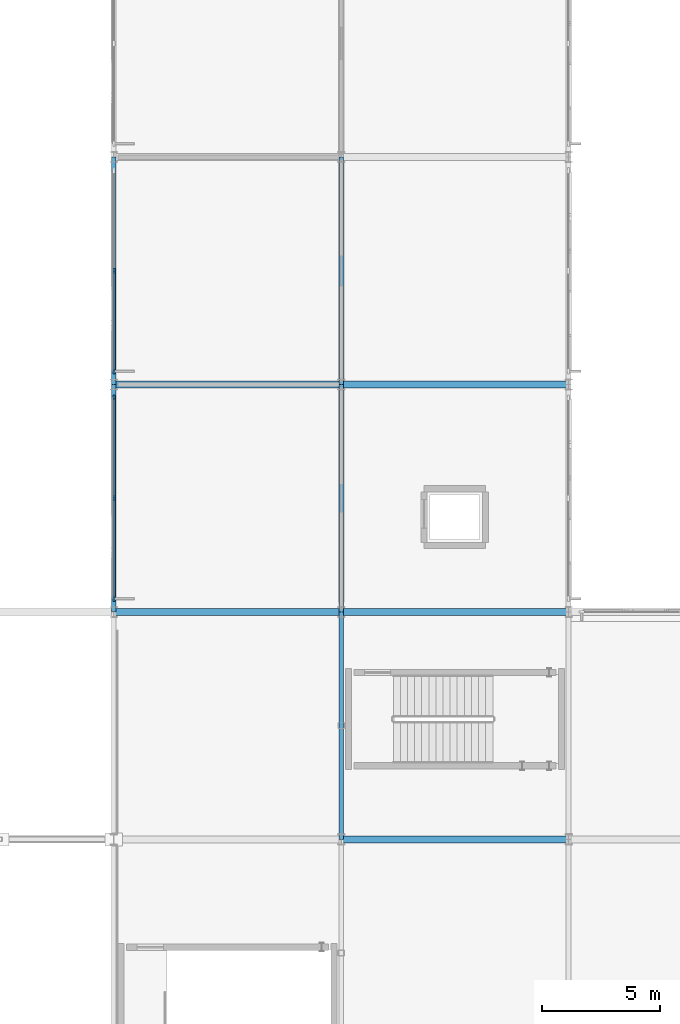
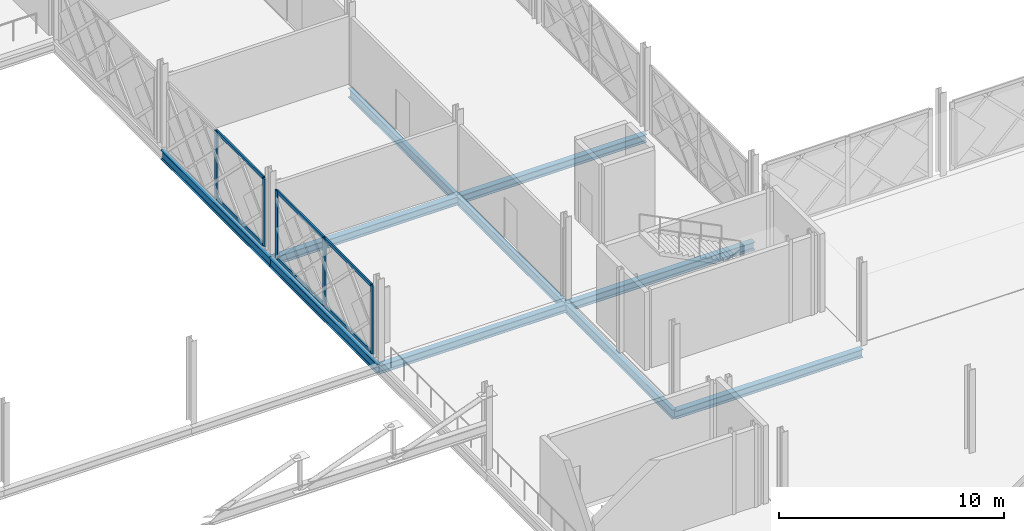
# One storey, part 37 of 101: 11 members, 10 beams, 2 elements without a shape of their own.
"""IFC4 building model written with IfcOpenShell, lengths in metres."""

from ifc_helpers import new_model, si_unit, direction, frame, origin, origin_2d, place, context, subcontext, project, spatial, rectangle, i_section, extrude, material, layer, layer_set, material_profile, profile_set, type_object, element, aggregate, save


model = new_model("IFC4")

# Units and contexts
model_context = context("Model", 3, precision=1e-05, world=origin(), true_north=direction((0.0, 1.0)))
body_context = subcontext(model_context, "Body", "Model", "MODEL_VIEW")
ifc_project = project(units=[si_unit("LENGTHUNIT", "METRE"), si_unit("AREAUNIT", "SQUARE_METRE"), si_unit("VOLUMEUNIT", "CUBIC_METRE"), si_unit("PLANEANGLEUNIT", "RADIAN"), si_unit("MASSUNIT", "GRAM", prefix="KILO")], contexts=[model_context])

# Site, building, storey
site_placement = place(None, origin())
site = spatial("IfcSite", under=ifc_project, at=site_placement, CompositionType="ELEMENT")
building_placement = place(site_placement, origin())
building = spatial("IfcBuilding", under=site, at=building_placement, Name="Zevrakil Square Congress Hotel", CompositionType="ELEMENT")
storey_placement = place(building_placement, frame((0.0, 0.0, 5.39990234375)))
storey = spatial("IfcBuildingStorey", under=building, at=storey_placement, Name="L02", CompositionType="ELEMENT", Elevation=5.39990234375)

# Beams
ifc_material_1 = material(Name="Steel S355", Category="steel")
ifc_material_profile_1 = material_profile(ifc_material_1, i_section(OverallWidth=0.300048828125, OverallDepth=0.43994140625, WebThickness=0.011474609375, FlangeThickness=0.02099609375, FilletRadius=0.027099609375, at=origin_2d()), Name="HEA 450")
ifc_profile_set_1 = profile_set([ifc_material_profile_1], Name="Steel S355")
beam_type_1 = type_object("IfcBeamType", Name="BM-HEA450", PredefinedType="BEAM", material=ifc_profile_set_1)
beam_1_placement = place(storey_placement, frame((55.199951171875, 36.0, -0.47998046875), z_axis=(1.0, 0.0, 0.0), x_axis=(0.0, 1.0, 0.0)))
element("IfcBeam", 1, at=beam_1_placement, inside=storey, type_object=beam_type_1, Name="L02 primary girder BX-0720", PredefinedType="BEAM", context=body_context, shape_type="SweptSolid", body=[
    extrude(i_section(OverallWidth=0.300048828125, OverallDepth=0.43994140625, WebThickness=0.011474609375, FlangeThickness=0.02099609375, FilletRadius=0.027099609375, at=origin_2d()), origin(), (0.0, 0.0, 1.0), 9.60009765625),
])
for number, where, z_axis, x_axis, name in (
    (2, (45.60009765625, 45.60009765625, -0.47998046875), (1.0, 0.0, 0.0), (0.0, 1.0, 0.0), "L02 primary girder BX-0736"),
    (3, (45.60009765625, 55.199951171875, -0.47998046875), (1.0, 0.0, 0.0), (0.0, 1.0, 0.0), "L02 primary girder BX-0748"),
):
    element("IfcBeam", number, at=place(storey_placement, frame(where, z_axis=z_axis, x_axis=x_axis)), inside=storey, type_object=beam_type_1, Name=name, PredefinedType="BEAM", context=body_context, shape_type="SweptSolid", body=[
        extrude(i_section(OverallWidth=0.300048828125, OverallDepth=0.43994140625, WebThickness=0.011474609375, FlangeThickness=0.02099609375, FilletRadius=0.027099609375, at=origin_2d()), origin(), (0.0, 0.0, 1.0), 9.599853515625),
    ])
beam_2_placement = place(storey_placement, frame((55.199951171875, 55.199951171875, -0.47998046875), z_axis=(1.0, 0.0, 0.0), x_axis=(0.0, 1.0, 0.0)))
element("IfcBeam", 4, at=beam_2_placement, inside=storey, type_object=beam_type_1, Name="L02 primary girder BX-0749", PredefinedType="BEAM", context=body_context, shape_type="SweptSolid", body=[
    extrude(i_section(OverallWidth=0.300048828125, OverallDepth=0.43994140625, WebThickness=0.011474609375, FlangeThickness=0.02099609375, FilletRadius=0.027099609375, at=origin_2d()), origin(), (0.0, 0.0, 1.0), 9.60009765625),
])
ifc_material_2 = material(Name="Steel S355", Category="steel")
ifc_material_profile_2 = material_profile(ifc_material_2, i_section(OverallWidth=0.300048828125, OverallDepth=0.449951171875, WebThickness=0.013916015625, FlangeThickness=0.02587890625, FilletRadius=0.027099609375, at=origin_2d()), Name="HEB 450")
ifc_profile_set_2 = profile_set([ifc_material_profile_2], Name="Steel S355")
beam_type_2 = type_object("IfcBeamType", Name="BM-HEB450", PredefinedType="BEAM", material=ifc_profile_set_2)
beam_3_placement = place(storey_placement, frame((55.199951171875, 45.60009765625, -0.48486328125), z_axis=(1.0, 0.0, 0.0), x_axis=(0.0, 1.0, 0.0)))
element("IfcBeam", 5, at=beam_3_placement, inside=storey, type_object=beam_type_2, Name="L02 primary girder BX-0737", PredefinedType="BEAM", context=body_context, shape_type="SweptSolid", body=[
    extrude(i_section(OverallWidth=0.300048828125, OverallDepth=0.449951171875, WebThickness=0.013916015625, FlangeThickness=0.02587890625, FilletRadius=0.027099609375, at=origin_2d()), origin(), (0.0, 0.0, 1.0), 9.60009765625),
])
ifc_material_3 = material(Name="Steel S355", Category="steel")
ifc_material_profile_3 = material_profile(ifc_material_3, i_section(OverallWidth=0.199951171875, OverallDepth=0.5, WebThickness=0.01025390625, FlangeThickness=0.01611328125, FilletRadius=0.02099609375, at=origin_2d()), Name="IPE 500")
ifc_profile_set_3 = profile_set([ifc_material_profile_3], Name="Steel S355")
beam_type_3 = type_object("IfcBeamType", Name="BM-IPE500", PredefinedType="BEAM", material=ifc_profile_set_3)
beam_4_placement = place(storey_placement, frame((45.60009765625, 45.60009765625, -0.510009765625), z_axis=(0.0, 1.0, 0.0), x_axis=(-1.0, 0.0, 0.0)))
element("IfcBeam", 6, at=beam_4_placement, inside=storey, type_object=beam_type_3, Name="L02 primary girder BY-0847", PredefinedType="BEAM", context=body_context, shape_type="SweptSolid", body=[
    extrude(i_section(OverallWidth=0.199951171875, OverallDepth=0.5, WebThickness=0.01025390625, FlangeThickness=0.01611328125, FilletRadius=0.02099609375, at=origin_2d()), origin(), (0.0, 0.0, 1.0), 9.599853515625),
])
for number, where, z_axis, x_axis, name in (
    (7, (45.60009765625, 55.199951171875, -0.510009765625), (0.0, 1.0, 0.0), (-1.0, 0.0, 0.0), "L02 primary girder BY-0848"),
    (8, (55.199951171875, 36.0, -0.510009765625), (0.0, 1.0, 0.0), (-1.0, 0.0, 0.0), "L02 primary girder BY-0858"),
):
    element("IfcBeam", number, at=place(storey_placement, frame(where, z_axis=z_axis, x_axis=x_axis)), inside=storey, type_object=beam_type_3, Name=name, PredefinedType="BEAM", context=body_context, shape_type="SweptSolid", body=[
        extrude(i_section(OverallWidth=0.199951171875, OverallDepth=0.5, WebThickness=0.01025390625, FlangeThickness=0.01611328125, FilletRadius=0.02099609375, at=origin_2d()), origin(), (0.0, 0.0, 1.0), 9.60009765625),
    ])
beam_5_placement = place(storey_placement, frame((55.199951171875, 45.60009765625, -0.510009765625), z_axis=(0.0, 1.0, 0.0), x_axis=(-1.0, 0.0, 0.0)))
element("IfcBeam", 9, at=beam_5_placement, inside=storey, type_object=beam_type_3, Name="L02 primary girder BY-0859", PredefinedType="BEAM", context=body_context, shape_type="SweptSolid", body=[
    extrude(i_section(OverallWidth=0.199951171875, OverallDepth=0.5, WebThickness=0.01025390625, FlangeThickness=0.01611328125, FilletRadius=0.02099609375, at=origin_2d()), origin(), (0.0, 0.0, 1.0), 9.599853515625),
])
beam_6_placement = place(storey_placement, frame((55.199951171875, 55.199951171875, -0.510009765625), z_axis=(0.0, 1.0, 0.0), x_axis=(-1.0, 0.0, 0.0)))
element("IfcBeam", 10, at=beam_6_placement, inside=storey, type_object=beam_type_3, Name="L02 primary girder BY-0860", PredefinedType="BEAM", context=body_context, shape_type="SweptSolid", body=[
    extrude(i_section(OverallWidth=0.199951171875, OverallDepth=0.5, WebThickness=0.01025390625, FlangeThickness=0.01611328125, FilletRadius=0.02099609375, at=origin_2d()), origin(), (0.0, 0.0, 1.0), 9.60009765625),
])

# Curtain wall, members
ifc_material_4 = material(Name="Aluminium Anodised Bronze", Category="aluminium")
ifc_layer = layer(ifc_material_4, 0.179931640625)
ifc_layer_set = layer_set([ifc_layer], Name="Aluminium Anodised Bronze")
curtain_wall_type = type_object("IfcCurtainWallType", Name="CW-L02-840", PredefinedType="USERDEFINED", material=ifc_layer_set)
curtain_wall_1_placement = place(storey_placement, origin())
curtain_wall_1 = element("IfcCurtainWall", 11, at=curtain_wall_1_placement, inside=storey, type_object=curtain_wall_type, Name="L02 diamond curtain wall CW-L02-0023", ObjectType="GLAZED CURTAIN WALL", PredefinedType="USERDEFINED")
ifc_material_5 = material(Name="Aluminium Anodised Bronze", Category="aluminium")
ifc_material_profile_4 = material_profile(ifc_material_5, rectangle(XDim=0.0849609375, YDim=0.179931640625, at=origin_2d()), Name="ALU 85x180")
ifc_profile_set_4 = profile_set([ifc_material_profile_4], Name="Aluminium Anodised Bronze")
member_type_1 = type_object("IfcMemberType", Name="CWM-ALU85x180", PredefinedType="USERDEFINED", material=ifc_profile_set_4)
member_1_placement = place(storey_placement, frame((45.60009765625, 46.179931640625, 0.030029296875), z_axis=(0.0, 1.0, 0.0), x_axis=(-1.0, 0.0, 0.0)))
member_1 = element("IfcMember", 12, at=member_1_placement, type_object=member_type_1, Name="CW-23 transom 1.1", ObjectType="TRANSOM", PredefinedType="USERDEFINED", context=body_context, shape_type="SweptSolid", body=[
    extrude(rectangle(XDim=0.0849609375, YDim=0.179931640625, at=origin_2d()), origin(), (0.0, 0.0, 1.0), 4.190185546875),
])
member_2_placement = place(storey_placement, frame((45.60009765625, 46.179931640625, 3.64501953125), z_axis=(0.0, 1.0, 0.0), x_axis=(-1.0, 0.0, 0.0)))
member_2 = element("IfcMember", 13, at=member_2_placement, type_object=member_type_1, Name="CW-23 transom 1.2", ObjectType="TRANSOM", PredefinedType="USERDEFINED", context=body_context, shape_type="SweptSolid", body=[
    extrude(rectangle(XDim=0.0849609375, YDim=0.179931640625, at=origin_2d()), origin(), (0.0, 0.0, 1.0), 4.190185546875),
])
member_3_placement = place(storey_placement, frame((45.60009765625, 50.429931640625, 0.030029296875), z_axis=(0.0, 1.0, 0.0), x_axis=(-1.0, 0.0, 0.0)))
member_3 = element("IfcMember", 14, at=member_3_placement, type_object=member_type_1, Name="CW-23 transom 2.1", ObjectType="TRANSOM", PredefinedType="USERDEFINED", context=body_context, shape_type="SweptSolid", body=[
    extrude(rectangle(XDim=0.0849609375, YDim=0.179931640625, at=origin_2d()), origin(), (0.0, 0.0, 1.0), 4.190185546875),
])
member_4_placement = place(storey_placement, frame((45.60009765625, 50.429931640625, 3.64501953125), z_axis=(0.0, 1.0, 0.0), x_axis=(-1.0, 0.0, 0.0)))
member_4 = element("IfcMember", 15, at=member_4_placement, type_object=member_type_1, Name="CW-23 transom 2.2", ObjectType="TRANSOM", PredefinedType="USERDEFINED", context=body_context, shape_type="SweptSolid", body=[
    extrude(rectangle(XDim=0.0849609375, YDim=0.179931640625, at=origin_2d()), origin(), (0.0, 0.0, 1.0), 4.190185546875),
])

curtain_wall_2_placement = place(storey_placement, origin())
curtain_wall_2 = element("IfcCurtainWall", 16, at=curtain_wall_2_placement, inside=storey, type_object=curtain_wall_type, Name="L02 diamond curtain wall CW-L02-0025", ObjectType="GLAZED CURTAIN WALL", PredefinedType="USERDEFINED")
member_5_placement = place(storey_placement, frame((45.60009765625, 55.780029296875, 0.030029296875), z_axis=(0.0, 1.0, 0.0), x_axis=(-1.0, 0.0, 0.0)))
member_5 = element("IfcMember", 17, at=member_5_placement, type_object=member_type_1, Name="CW-23 transom 1.1", ObjectType="TRANSOM", PredefinedType="USERDEFINED", context=body_context, shape_type="SweptSolid", body=[
    extrude(rectangle(XDim=0.0849609375, YDim=0.179931640625, at=origin_2d()), origin(), (0.0, 0.0, 1.0), 4.18994140625),
])
member_6_placement = place(storey_placement, frame((45.60009765625, 55.780029296875, 3.64501953125), z_axis=(0.0, 1.0, 0.0), x_axis=(-1.0, 0.0, 0.0)))
member_6 = element("IfcMember", 18, at=member_6_placement, type_object=member_type_1, Name="CW-23 transom 1.2", ObjectType="TRANSOM", PredefinedType="USERDEFINED", context=body_context, shape_type="SweptSolid", body=[
    extrude(rectangle(XDim=0.0849609375, YDim=0.179931640625, at=origin_2d()), origin(), (0.0, 0.0, 1.0), 4.18994140625),
])

# Member
ifc_material_6 = material(Name="Aluminium Anodised Bronze", Category="aluminium")
ifc_material_profile_5 = material_profile(ifc_material_6, rectangle(XDim=0.0849609375, YDim=0.219970703125, at=origin_2d()), Name="ALU 85x220")
ifc_profile_set_5 = profile_set([ifc_material_profile_5], Name="Aluminium Anodised Bronze")
member_type_2 = type_object("IfcMemberType", Name="CWM-ALU85x220", PredefinedType="MULLION", material=ifc_profile_set_5)
member_7_placement = place(storey_placement, frame((45.60009765625, 46.14990234375, 0.0), z_axis=(0.0, 0.0, 1.0), x_axis=(-1.0, 0.0, 0.0)))
member_7 = element("IfcMember", 19, at=member_7_placement, type_object=member_type_2, Name="CW-23 mullion 1", PredefinedType="MULLION", context=body_context, shape_type="SweptSolid", body=[
    extrude(rectangle(XDim=0.0849609375, YDim=0.219970703125, at=origin_2d()), origin(), (0.0, 0.0, 1.0), 3.675048828125),
])

member_8_placement = place(storey_placement, frame((45.60009765625, 50.39990234375, 0.0), z_axis=(0.0, 0.0, 1.0), x_axis=(-1.0, 0.0, 0.0)))
member_8 = element("IfcMember", 20, at=member_8_placement, type_object=member_type_2, Name="CW-23 mullion 2", PredefinedType="MULLION", context=body_context, shape_type="SweptSolid", body=[
    extrude(rectangle(XDim=0.0849609375, YDim=0.219970703125, at=origin_2d()), origin(), (0.0, 0.0, 1.0), 3.675048828125),
])

member_9_placement = place(storey_placement, frame((45.60009765625, 54.64990234375, 0.0), z_axis=(0.0, 0.0, 1.0), x_axis=(-1.0, 0.0, 0.0)))
member_9 = element("IfcMember", 21, at=member_9_placement, type_object=member_type_2, Name="CW-23 mullion 3", PredefinedType="MULLION", context=body_context, shape_type="SweptSolid", body=[
    extrude(rectangle(XDim=0.0849609375, YDim=0.219970703125, at=origin_2d()), origin(), (0.0, 0.0, 1.0), 3.675048828125),
])

aggregate(curtain_wall_1, [member_7, member_8, member_9, member_1, member_2, member_3, member_4])

member_10_placement = place(storey_placement, frame((45.60009765625, 55.75, 0.0), z_axis=(0.0, 0.0, 1.0), x_axis=(-1.0, 0.0, 0.0)))
member_10 = element("IfcMember", 22, at=member_10_placement, type_object=member_type_2, Name="CW-23 mullion 1", PredefinedType="MULLION", context=body_context, shape_type="SweptSolid", body=[
    extrude(rectangle(XDim=0.0849609375, YDim=0.219970703125, at=origin_2d()), origin(), (0.0, 0.0, 1.0), 3.675048828125),
])

member_11_placement = place(storey_placement, frame((45.60009765625, 60.0, 0.0), z_axis=(0.0, 0.0, 1.0), x_axis=(-1.0, 0.0, 0.0)))
member_11 = element("IfcMember", 23, at=member_11_placement, type_object=member_type_2, Name="CW-23 mullion 2", PredefinedType="MULLION", context=body_context, shape_type="SweptSolid", body=[
    extrude(rectangle(XDim=0.0849609375, YDim=0.219970703125, at=origin_2d()), origin(), (0.0, 0.0, 1.0), 3.675048828125),
])

aggregate(curtain_wall_2, [member_10, member_11, member_5, member_6])

save(model, "model.ifc")
